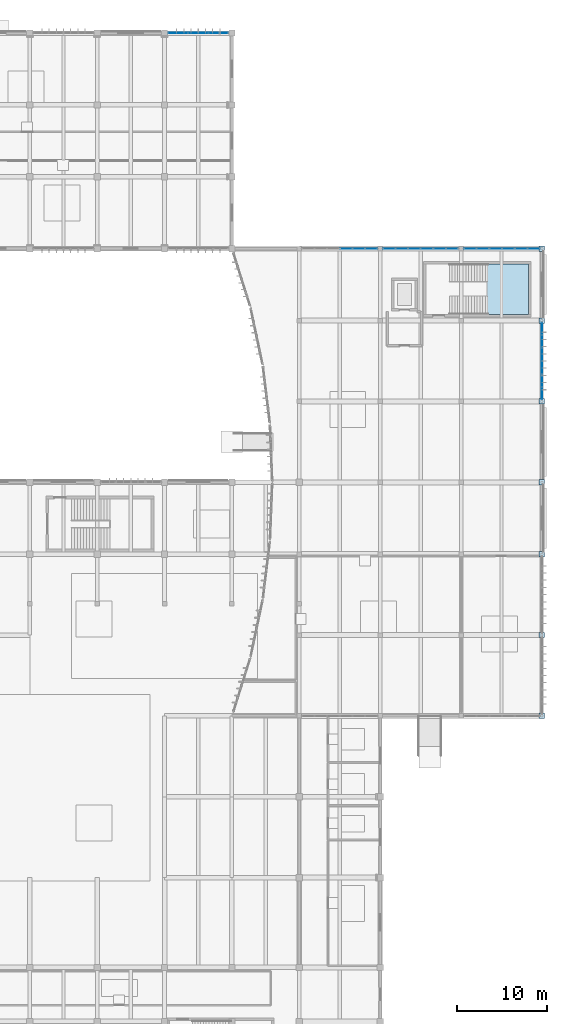
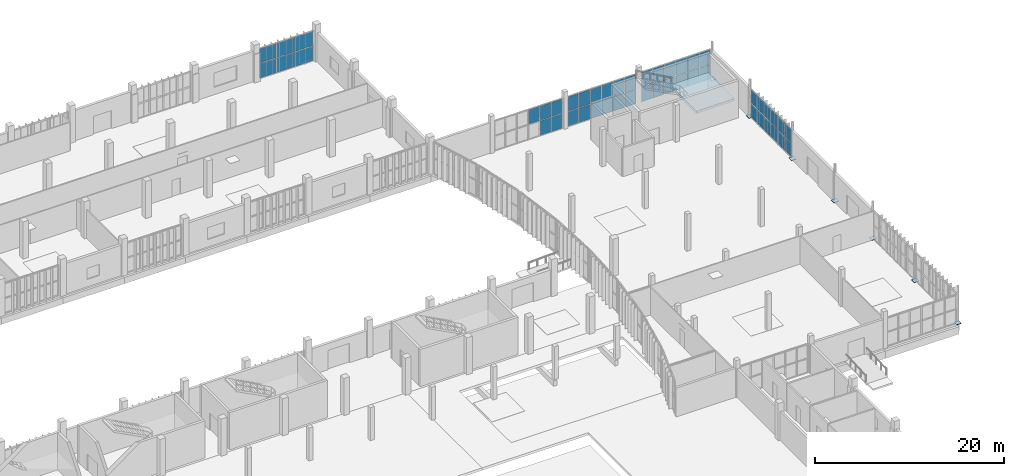
# One storey, part 41 of 72: 54 plates, 1 slab, 6 elements without a shape of their own.
"""IFC4 building model written with IfcOpenShell, lengths in metres."""

from ifc_helpers import new_model, si_unit, direction, frame, origin, origin_2d, place, context, subcontext, project, spatial, polyline, rectangle, outline, extrude, material, layer, layer_set, type_object, element, aggregate, save


model = new_model("IFC4")

# Units and contexts
model_context = context("Model", 3, precision=1e-05, world=origin(), true_north=direction((0.0, 1.0)))
body_context = subcontext(model_context, "Body", "Model", "MODEL_VIEW")
ifc_project = project(units=[si_unit("LENGTHUNIT", "METRE"), si_unit("AREAUNIT", "SQUARE_METRE"), si_unit("VOLUMEUNIT", "CUBIC_METRE"), si_unit("PLANEANGLEUNIT", "RADIAN"), si_unit("MASSUNIT", "GRAM", prefix="KILO")], contexts=[model_context])

# Site, building, storey
site_placement = place(None, origin())
site = spatial("IfcSite", under=ifc_project, at=site_placement, CompositionType="ELEMENT")
building_placement = place(site_placement, origin())
building = spatial("IfcBuilding", under=site, at=building_placement, Name="Vourika Railside Aquatics Centre", CompositionType="ELEMENT")
storey_placement = place(building_placement, origin())
storey = spatial("IfcBuildingStorey", under=building, at=storey_placement, Name="L00", CompositionType="ELEMENT", Elevation=0.0)

# Curtain wall, plates
ifc_material_1 = material(Name="Anodized thermally broken aluminium", Category="aluminium")
curtain_wall_type_1 = type_object("IfcCurtainWallType", Name="CW-FIT0", PredefinedType="NOTDEFINED", material=ifc_material_1)
curtain_wall_1_placement = place(storey_placement, origin())
curtain_wall_1 = element("IfcCurtainWall", 1, at=curtain_wall_1_placement, inside=storey, type_object=curtain_wall_type_1, Name="North Boulevard Curtain Wall L00-15", PredefinedType="NOTDEFINED")
ifc_material_2 = material(Name="Low-E solar-control laminated double glazing", Category="glass")
ifc_layer_1 = layer(ifc_material_2, 0.031982421875, Name="CWP-FIT0")
ifc_layer_set_1 = layer_set([ifc_layer_1], Name="Low-E solar-control laminated double glazing")
plate_type_1 = type_object("IfcPlateType", Name="CWP-FIT0", PredefinedType="CURTAIN_PANEL", material=ifc_layer_set_1)
plate_1_placement = place(storey_placement, frame((131.98046875, 116.0, 0.06494140625), z_axis=(0.0, 0.0, 1.0), x_axis=(-1.0, 0.0, 0.0)))
plate_1 = element("IfcPlate", 2, at=plate_1_placement, type_object=plate_type_1, Name="CW14 panel 1.1", PredefinedType="CURTAIN_PANEL", context=body_context, shape_type="SweptSolid", body=[
    extrude(rectangle(XDim=2.149169921875, YDim=0.031982421875, at=origin_2d()), origin(), (0.0, 0.0, 1.0), 1.867431640625),
])
plate_2_placement = place(storey_placement, frame((131.98046875, 116.0, 1.99755859375), z_axis=(0.0, 0.0, 1.0), x_axis=(-1.0, 0.0, 0.0)))
plate_2 = element("IfcPlate", 3, at=plate_2_placement, type_object=plate_type_1, Name="CW14 panel 1.2", PredefinedType="CURTAIN_PANEL", context=body_context, shape_type="SweptSolid", body=[
    extrude(rectangle(XDim=2.149169921875, YDim=0.031982421875, at=origin_2d()), origin(), (0.0, 0.0, 1.0), 1.867431640625),
])
plate_3_placement = place(storey_placement, frame((129.75, 116.0, 0.06494140625), z_axis=(0.0, 0.0, 1.0), x_axis=(-1.0, 0.0, 0.0)))
plate_3 = element("IfcPlate", 4, at=plate_3_placement, type_object=plate_type_1, Name="CW14 panel 2.1", PredefinedType="CURTAIN_PANEL", context=body_context, shape_type="SweptSolid", body=[
    extrude(rectangle(XDim=2.181640625, YDim=0.031982421875, at=origin_2d()), origin(), (0.0, 0.0, 1.0), 1.867431640625),
])
plate_4_placement = place(storey_placement, frame((129.75, 116.0, 1.99755859375), z_axis=(0.0, 0.0, 1.0), x_axis=(-1.0, 0.0, 0.0)))
plate_4 = element("IfcPlate", 5, at=plate_4_placement, type_object=plate_type_1, Name="CW14 panel 2.2", PredefinedType="CURTAIN_PANEL", context=body_context, shape_type="SweptSolid", body=[
    extrude(rectangle(XDim=2.181640625, YDim=0.031982421875, at=origin_2d()), origin(), (0.0, 0.0, 1.0), 1.867431640625),
])
plate_5_placement = place(storey_placement, frame((127.51953125, 116.0, 0.06494140625), z_axis=(0.0, 0.0, 1.0), x_axis=(-1.0, 0.0, 0.0)))
plate_5 = element("IfcPlate", 6, at=plate_5_placement, type_object=plate_type_1, Name="CW14 panel 3.1", PredefinedType="CURTAIN_PANEL", context=body_context, shape_type="SweptSolid", body=[
    extrude(rectangle(XDim=2.149169921875, YDim=0.031982421875, at=origin_2d()), origin(), (0.0, 0.0, 1.0), 1.867431640625),
])
plate_6_placement = place(storey_placement, frame((127.51953125, 116.0, 1.99755859375), z_axis=(0.0, 0.0, 1.0), x_axis=(-1.0, 0.0, 0.0)))
plate_6 = element("IfcPlate", 7, at=plate_6_placement, type_object=plate_type_1, Name="CW14 panel 3.2", PredefinedType="CURTAIN_PANEL", context=body_context, shape_type="SweptSolid", body=[
    extrude(rectangle(XDim=2.149169921875, YDim=0.031982421875, at=origin_2d()), origin(), (0.0, 0.0, 1.0), 1.867431640625),
])
aggregate(curtain_wall_1, [plate_1, plate_2, plate_3, plate_4, plate_5, plate_6])

curtain_wall_type_2 = type_object("IfcCurtainWallType", Name="CW-FOYE", PredefinedType="NOTDEFINED", material=ifc_material_1)
curtain_wall_2_placement = place(storey_placement, origin())
curtain_wall_2 = element("IfcCurtainWall", 8, at=curtain_wall_2_placement, inside=storey, type_object=curtain_wall_type_2, Name="East Arrival Facade Curtain Wall L00-5", PredefinedType="NOTDEFINED")
ifc_layer_2 = layer(ifc_material_2, 0.031982421875, Name="CWP-FOYE")
ifc_layer_set_2 = layer_set([ifc_layer_2], Name="Low-E solar-control laminated double glazing")
plate_type_2 = type_object("IfcPlateType", Name="CWP-FOYE", PredefinedType="CURTAIN_PANEL", material=ifc_layer_set_2)
plate_7_placement = place(storey_placement, frame((168.0, 75.907470703125, 0.074951171875), z_axis=(0.0, 0.0, 1.0), x_axis=(0.0, 1.0, 0.0)))
plate_7 = element("IfcPlate", 9, at=plate_7_placement, type_object=plate_type_2, Name="CW10 panel 1.1", PredefinedType="CURTAIN_PANEL", context=body_context, shape_type="SweptSolid", body=[
    extrude(rectangle(XDim=1.33203125, YDim=0.031982421875, at=origin_2d()), origin(), (0.0, 0.0, 1.0), 1.75244140625),
])
plate_8_placement = place(storey_placement, frame((168.0, 75.907470703125, 1.902587890625), z_axis=(0.0, 0.0, 1.0), x_axis=(0.0, 1.0, 0.0)))
plate_8 = element("IfcPlate", 10, at=plate_8_placement, type_object=plate_type_2, Name="CW10 panel 1.2", PredefinedType="CURTAIN_PANEL", context=body_context, shape_type="SweptSolid", body=[
    extrude(rectangle(XDim=1.33203125, YDim=0.031982421875, at=origin_2d()), origin(), (0.0, 0.0, 1.0), 1.75244140625),
])
plate_9_placement = place(storey_placement, frame((168.0, 77.333251953125, 0.074951171875), z_axis=(0.0, 0.0, 1.0), x_axis=(0.0, 1.0, 0.0)))
plate_9 = element("IfcPlate", 11, at=plate_9_placement, type_object=plate_type_2, Name="CW10 panel 2.1", PredefinedType="CURTAIN_PANEL", context=body_context, shape_type="SweptSolid", body=[
    extrude(rectangle(XDim=1.369384765625, YDim=0.031982421875, at=origin_2d()), origin(), (0.0, 0.0, 1.0), 1.75244140625),
])
plate_10_placement = place(storey_placement, frame((168.0, 77.333251953125, 1.902587890625), z_axis=(0.0, 0.0, 1.0), x_axis=(0.0, 1.0, 0.0)))
plate_10 = element("IfcPlate", 12, at=plate_10_placement, type_object=plate_type_2, Name="CW10 panel 2.2", PredefinedType="CURTAIN_PANEL", context=body_context, shape_type="SweptSolid", body=[
    extrude(rectangle(XDim=1.369384765625, YDim=0.031982421875, at=origin_2d()), origin(), (0.0, 0.0, 1.0), 1.75244140625),
])
plate_11_placement = place(storey_placement, frame((168.0, 78.77783203125, 0.074951171875), z_axis=(0.0, 0.0, 1.0), x_axis=(0.0, 1.0, 0.0)))
plate_11 = element("IfcPlate", 13, at=plate_11_placement, type_object=plate_type_2, Name="CW10 panel 3.1", PredefinedType="CURTAIN_PANEL", context=body_context, shape_type="SweptSolid", body=[
    extrude(rectangle(XDim=1.369384765625, YDim=0.031982421875, at=origin_2d()), origin(), (0.0, 0.0, 1.0), 1.75244140625),
])
plate_12_placement = place(storey_placement, frame((168.0, 78.77783203125, 1.902587890625), z_axis=(0.0, 0.0, 1.0), x_axis=(0.0, 1.0, 0.0)))
plate_12 = element("IfcPlate", 14, at=plate_12_placement, type_object=plate_type_2, Name="CW10 panel 3.2", PredefinedType="CURTAIN_PANEL", context=body_context, shape_type="SweptSolid", body=[
    extrude(rectangle(XDim=1.369384765625, YDim=0.031982421875, at=origin_2d()), origin(), (0.0, 0.0, 1.0), 1.75244140625),
])
plate_13_placement = place(storey_placement, frame((168.0, 80.22216796875, 0.074951171875), z_axis=(0.0, 0.0, 1.0), x_axis=(0.0, 1.0, 0.0)))
plate_13 = element("IfcPlate", 15, at=plate_13_placement, type_object=plate_type_2, Name="CW10 panel 4.1", PredefinedType="CURTAIN_PANEL", context=body_context, shape_type="SweptSolid", body=[
    extrude(rectangle(XDim=1.369384765625, YDim=0.031982421875, at=origin_2d()), origin(), (0.0, 0.0, 1.0), 1.75244140625),
])
plate_14_placement = place(storey_placement, frame((168.0, 80.22216796875, 1.902587890625), z_axis=(0.0, 0.0, 1.0), x_axis=(0.0, 1.0, 0.0)))
plate_14 = element("IfcPlate", 16, at=plate_14_placement, type_object=plate_type_2, Name="CW10 panel 4.2", PredefinedType="CURTAIN_PANEL", context=body_context, shape_type="SweptSolid", body=[
    extrude(rectangle(XDim=1.369384765625, YDim=0.031982421875, at=origin_2d()), origin(), (0.0, 0.0, 1.0), 1.75244140625),
])
plate_15_placement = place(storey_placement, frame((168.0, 81.666748046875, 0.074951171875), z_axis=(0.0, 0.0, 1.0), x_axis=(0.0, 1.0, 0.0)))
plate_15 = element("IfcPlate", 17, at=plate_15_placement, type_object=plate_type_2, Name="CW10 panel 5.1", PredefinedType="CURTAIN_PANEL", context=body_context, shape_type="SweptSolid", body=[
    extrude(rectangle(XDim=1.369384765625, YDim=0.031982421875, at=origin_2d()), origin(), (0.0, 0.0, 1.0), 1.75244140625),
])
plate_16_placement = place(storey_placement, frame((168.0, 81.666748046875, 1.902587890625), z_axis=(0.0, 0.0, 1.0), x_axis=(0.0, 1.0, 0.0)))
plate_16 = element("IfcPlate", 18, at=plate_16_placement, type_object=plate_type_2, Name="CW10 panel 5.2", PredefinedType="CURTAIN_PANEL", context=body_context, shape_type="SweptSolid", body=[
    extrude(rectangle(XDim=1.369384765625, YDim=0.031982421875, at=origin_2d()), origin(), (0.0, 0.0, 1.0), 1.75244140625),
])
plate_17_placement = place(storey_placement, frame((168.0, 83.092529296875, 0.074951171875), z_axis=(0.0, 0.0, 1.0), x_axis=(0.0, 1.0, 0.0)))
plate_17 = element("IfcPlate", 19, at=plate_17_placement, type_object=plate_type_2, Name="CW10 panel 6.1", PredefinedType="CURTAIN_PANEL", context=body_context, shape_type="SweptSolid", body=[
    extrude(rectangle(XDim=1.33203125, YDim=0.031982421875, at=origin_2d()), origin(), (0.0, 0.0, 1.0), 1.75244140625),
])
plate_18_placement = place(storey_placement, frame((168.0, 83.092529296875, 1.902587890625), z_axis=(0.0, 0.0, 1.0), x_axis=(0.0, 1.0, 0.0)))
plate_18 = element("IfcPlate", 20, at=plate_18_placement, type_object=plate_type_2, Name="CW10 panel 6.2", PredefinedType="CURTAIN_PANEL", context=body_context, shape_type="SweptSolid", body=[
    extrude(rectangle(XDim=1.33203125, YDim=0.031982421875, at=origin_2d()), origin(), (0.0, 0.0, 1.0), 1.75244140625),
])
aggregate(curtain_wall_2, [plate_7, plate_8, plate_9, plate_10, plate_11, plate_12, plate_13, plate_14, plate_15, plate_16, plate_17, plate_18])

curtain_wall_type_3 = type_object("IfcCurtainWallType", Name="CW-FOYS", PredefinedType="NOTDEFINED", material=ifc_material_1)
curtain_wall_3_placement = place(storey_placement, origin())
curtain_wall_3 = element("IfcCurtainWall", 21, at=curtain_wall_3_placement, inside=storey, type_object=curtain_wall_type_3, Name="Foyer North Glazed Facade L00-1", PredefinedType="NOTDEFINED")
ifc_layer_3 = layer(ifc_material_2, 0.031982421875, Name="CWP-FOYS")
ifc_layer_set_3 = layer_set([ifc_layer_3], Name="Low-E solar-control laminated double glazing")
plate_type_3 = type_object("IfcPlateType", Name="CWP-FOYS", PredefinedType="CURTAIN_PANEL", material=ifc_layer_set_3)
plate_19_placement = place(storey_placement, frame((148.998779296875, 92.0, 0.072021484375), z_axis=(0.0, 0.0, 1.0), x_axis=(-1.0, 0.0, 0.0)))
plate_19 = element("IfcPlate", 22, at=plate_19_placement, type_object=plate_type_3, Name="CW11 panel 1.1", PredefinedType="CURTAIN_PANEL", context=body_context, shape_type="SweptSolid", body=[
    extrude(rectangle(XDim=1.298583984375, YDim=0.031982421875, at=origin_2d()), origin(), (0.0, 0.0, 1.0), 1.85693359375),
])
plate_20_placement = place(storey_placement, frame((148.998779296875, 92.0, 2.0009765625), z_axis=(0.0, 0.0, 1.0), x_axis=(-1.0, 0.0, 0.0)))
plate_20 = element("IfcPlate", 23, at=plate_20_placement, type_object=plate_type_3, Name="CW11 panel 1.2", PredefinedType="CURTAIN_PANEL", context=body_context, shape_type="SweptSolid", body=[
    extrude(rectangle(XDim=1.298583984375, YDim=0.031982421875, at=origin_2d()), origin(), (0.0, 0.0, 1.0), 1.85693359375),
])
plate_21_placement = place(storey_placement, frame((147.610107421875, 92.0, 0.072021484375), z_axis=(0.0, 0.0, 1.0), x_axis=(-1.0, 0.0, 0.0)))
plate_21 = element("IfcPlate", 24, at=plate_21_placement, type_object=plate_type_3, Name="CW11 panel 2.1", PredefinedType="CURTAIN_PANEL", context=body_context, shape_type="SweptSolid", body=[
    extrude(rectangle(XDim=1.334716796875, YDim=0.031982421875, at=origin_2d()), origin(), (0.0, 0.0, 1.0), 1.85693359375),
])
plate_22_placement = place(storey_placement, frame((147.610107421875, 92.0, 2.0009765625), z_axis=(0.0, 0.0, 1.0), x_axis=(-1.0, 0.0, 0.0)))
plate_22 = element("IfcPlate", 25, at=plate_22_placement, type_object=plate_type_3, Name="CW11 panel 2.2", PredefinedType="CURTAIN_PANEL", context=body_context, shape_type="SweptSolid", body=[
    extrude(rectangle(XDim=1.334716796875, YDim=0.031982421875, at=origin_2d()), origin(), (0.0, 0.0, 1.0), 1.85693359375),
])
plate_23_placement = place(storey_placement, frame((146.203369140625, 92.0, 2.0009765625), z_axis=(0.0, 0.0, 1.0), x_axis=(-1.0, 0.0, 0.0)))
plate_23 = element("IfcPlate", 26, at=plate_23_placement, type_object=plate_type_3, Name="CW11 panel 3.2", PredefinedType="CURTAIN_PANEL", context=body_context, shape_type="SweptSolid", body=[
    extrude(rectangle(XDim=1.334716796875, YDim=0.031982421875, at=origin_2d()), origin(), (0.0, 0.0, 1.0), 1.85693359375),
])
aggregate(curtain_wall_3, [plate_19, plate_20, plate_21, plate_22, plate_23])

curtain_wall_4_placement = place(storey_placement, origin())
curtain_wall_4 = element("IfcCurtainWall", 27, at=curtain_wall_4_placement, inside=storey, type_object=curtain_wall_type_3, Name="Foyer North Glazed Facade L00-2", PredefinedType="NOTDEFINED")
plate_24_placement = place(storey_placement, frame((157.998779296875, 92.0, 0.072021484375), z_axis=(0.0, 0.0, 1.0), x_axis=(-1.0, 0.0, 0.0)))
plate_24 = element("IfcPlate", 28, at=plate_24_placement, type_object=plate_type_3, Name="CW11 panel 1.1", PredefinedType="CURTAIN_PANEL", context=body_context, shape_type="SweptSolid", body=[
    extrude(rectangle(XDim=1.298583984375, YDim=0.031982421875, at=origin_2d()), origin(), (0.0, 0.0, 1.0), 1.85693359375),
])
plate_25_placement = place(storey_placement, frame((157.998779296875, 92.0, 2.0009765625), z_axis=(0.0, 0.0, 1.0), x_axis=(-1.0, 0.0, 0.0)))
plate_25 = element("IfcPlate", 29, at=plate_25_placement, type_object=plate_type_3, Name="CW11 panel 1.2", PredefinedType="CURTAIN_PANEL", context=body_context, shape_type="SweptSolid", body=[
    extrude(rectangle(XDim=1.298583984375, YDim=0.031982421875, at=origin_2d()), origin(), (0.0, 0.0, 1.0), 1.85693359375),
])
plate_26_placement = place(storey_placement, frame((156.610107421875, 92.0, 0.072021484375), z_axis=(0.0, 0.0, 1.0), x_axis=(-1.0, 0.0, 0.0)))
plate_26 = element("IfcPlate", 30, at=plate_26_placement, type_object=plate_type_3, Name="CW11 panel 2.1", PredefinedType="CURTAIN_PANEL", context=body_context, shape_type="SweptSolid", body=[
    extrude(rectangle(XDim=1.334716796875, YDim=0.031982421875, at=origin_2d()), origin(), (0.0, 0.0, 1.0), 1.85693359375),
])
plate_27_placement = place(storey_placement, frame((156.610107421875, 92.0, 2.0009765625), z_axis=(0.0, 0.0, 1.0), x_axis=(-1.0, 0.0, 0.0)))
plate_27 = element("IfcPlate", 31, at=plate_27_placement, type_object=plate_type_3, Name="CW11 panel 2.2", PredefinedType="CURTAIN_PANEL", context=body_context, shape_type="SweptSolid", body=[
    extrude(rectangle(XDim=1.334716796875, YDim=0.031982421875, at=origin_2d()), origin(), (0.0, 0.0, 1.0), 1.85693359375),
])
plate_28_placement = place(storey_placement, frame((155.203369140625, 92.0, 0.072021484375), z_axis=(0.0, 0.0, 1.0), x_axis=(-1.0, 0.0, 0.0)))
plate_28 = element("IfcPlate", 32, at=plate_28_placement, type_object=plate_type_3, Name="CW11 panel 3.1", PredefinedType="CURTAIN_PANEL", context=body_context, shape_type="SweptSolid", body=[
    extrude(rectangle(XDim=1.334716796875, YDim=0.031982421875, at=origin_2d()), origin(), (0.0, 0.0, 1.0), 1.85693359375),
])
plate_29_placement = place(storey_placement, frame((155.203369140625, 92.0, 2.0009765625), z_axis=(0.0, 0.0, 1.0), x_axis=(-1.0, 0.0, 0.0)))
plate_29 = element("IfcPlate", 33, at=plate_29_placement, type_object=plate_type_3, Name="CW11 panel 3.2", PredefinedType="CURTAIN_PANEL", context=body_context, shape_type="SweptSolid", body=[
    extrude(rectangle(XDim=1.334716796875, YDim=0.031982421875, at=origin_2d()), origin(), (0.0, 0.0, 1.0), 1.85693359375),
])
plate_30_placement = place(storey_placement, frame((153.796630859375, 92.0, 0.072021484375), z_axis=(0.0, 0.0, 1.0), x_axis=(-1.0, 0.0, 0.0)))
plate_30 = element("IfcPlate", 34, at=plate_30_placement, type_object=plate_type_3, Name="CW11 panel 4.1", PredefinedType="CURTAIN_PANEL", context=body_context, shape_type="SweptSolid", body=[
    extrude(rectangle(XDim=1.334716796875, YDim=0.031982421875, at=origin_2d()), origin(), (0.0, 0.0, 1.0), 1.85693359375),
])
plate_31_placement = place(storey_placement, frame((153.796630859375, 92.0, 2.0009765625), z_axis=(0.0, 0.0, 1.0), x_axis=(-1.0, 0.0, 0.0)))
plate_31 = element("IfcPlate", 35, at=plate_31_placement, type_object=plate_type_3, Name="CW11 panel 4.2", PredefinedType="CURTAIN_PANEL", context=body_context, shape_type="SweptSolid", body=[
    extrude(rectangle(XDim=1.334716796875, YDim=0.031982421875, at=origin_2d()), origin(), (0.0, 0.0, 1.0), 1.85693359375),
])
plate_32_placement = place(storey_placement, frame((152.389892578125, 92.0, 0.072021484375), z_axis=(0.0, 0.0, 1.0), x_axis=(-1.0, 0.0, 0.0)))
plate_32 = element("IfcPlate", 36, at=plate_32_placement, type_object=plate_type_3, Name="CW11 panel 5.1", PredefinedType="CURTAIN_PANEL", context=body_context, shape_type="SweptSolid", body=[
    extrude(rectangle(XDim=1.334716796875, YDim=0.031982421875, at=origin_2d()), origin(), (0.0, 0.0, 1.0), 1.85693359375),
])
plate_33_placement = place(storey_placement, frame((152.389892578125, 92.0, 2.0009765625), z_axis=(0.0, 0.0, 1.0), x_axis=(-1.0, 0.0, 0.0)))
plate_33 = element("IfcPlate", 37, at=plate_33_placement, type_object=plate_type_3, Name="CW11 panel 5.2", PredefinedType="CURTAIN_PANEL", context=body_context, shape_type="SweptSolid", body=[
    extrude(rectangle(XDim=1.334716796875, YDim=0.031982421875, at=origin_2d()), origin(), (0.0, 0.0, 1.0), 1.85693359375),
])
plate_34_placement = place(storey_placement, frame((151.001220703125, 92.0, 0.072021484375), z_axis=(0.0, 0.0, 1.0), x_axis=(-1.0, 0.0, 0.0)))
plate_34 = element("IfcPlate", 38, at=plate_34_placement, type_object=plate_type_3, Name="CW11 panel 6.1", PredefinedType="CURTAIN_PANEL", context=body_context, shape_type="SweptSolid", body=[
    extrude(rectangle(XDim=1.298583984375, YDim=0.031982421875, at=origin_2d()), origin(), (0.0, 0.0, 1.0), 1.85693359375),
])
plate_35_placement = place(storey_placement, frame((151.001220703125, 92.0, 2.0009765625), z_axis=(0.0, 0.0, 1.0), x_axis=(-1.0, 0.0, 0.0)))
plate_35 = element("IfcPlate", 39, at=plate_35_placement, type_object=plate_type_3, Name="CW11 panel 6.2", PredefinedType="CURTAIN_PANEL", context=body_context, shape_type="SweptSolid", body=[
    extrude(rectangle(XDim=1.298583984375, YDim=0.031982421875, at=origin_2d()), origin(), (0.0, 0.0, 1.0), 1.85693359375),
])
aggregate(curtain_wall_4, [plate_24, plate_25, plate_26, plate_27, plate_28, plate_29, plate_30, plate_31, plate_32, plate_33, plate_34, plate_35])

curtain_wall_5_placement = place(storey_placement, origin())
curtain_wall_5 = element("IfcCurtainWall", 40, at=curtain_wall_5_placement, inside=storey, type_object=curtain_wall_type_3, Name="Foyer North Glazed Facade L00-3", PredefinedType="NOTDEFINED")
plate_36_placement = place(storey_placement, frame((167.102783203125, 92.0, 0.072021484375), z_axis=(0.0, 0.0, 1.0), x_axis=(-1.0, 0.0, 0.0)))
plate_36 = element("IfcPlate", 41, at=plate_36_placement, type_object=plate_type_3, Name="CW11 panel 1.1", PredefinedType="CURTAIN_PANEL", context=body_context, shape_type="SweptSolid", body=[
    extrude(rectangle(XDim=1.317626953125, YDim=0.031982421875, at=origin_2d()), origin(), (0.0, 0.0, 1.0), 1.85693359375),
])
plate_37_placement = place(storey_placement, frame((167.102783203125, 92.0, 2.0009765625), z_axis=(0.0, 0.0, 1.0), x_axis=(-1.0, 0.0, 0.0)))
plate_37 = element("IfcPlate", 42, at=plate_37_placement, type_object=plate_type_3, Name="CW11 panel 1.2", PredefinedType="CURTAIN_PANEL", context=body_context, shape_type="SweptSolid", body=[
    extrude(rectangle(XDim=1.317626953125, YDim=0.031982421875, at=origin_2d()), origin(), (0.0, 0.0, 1.0), 1.85693359375),
])
plate_38_placement = place(storey_placement, frame((165.695068359375, 92.0, 0.072021484375), z_axis=(0.0, 0.0, 1.0), x_axis=(-1.0, 0.0, 0.0)))
plate_38 = element("IfcPlate", 43, at=plate_38_placement, type_object=plate_type_3, Name="CW11 panel 2.1", PredefinedType="CURTAIN_PANEL", context=body_context, shape_type="SweptSolid", body=[
    extrude(rectangle(XDim=1.353515625, YDim=0.031982421875, at=origin_2d()), origin(), (0.0, 0.0, 1.0), 1.85693359375),
])
plate_39_placement = place(storey_placement, frame((165.695068359375, 92.0, 2.0009765625), z_axis=(0.0, 0.0, 1.0), x_axis=(-1.0, 0.0, 0.0)))
plate_39 = element("IfcPlate", 44, at=plate_39_placement, type_object=plate_type_3, Name="CW11 panel 2.2", PredefinedType="CURTAIN_PANEL", context=body_context, shape_type="SweptSolid", body=[
    extrude(rectangle(XDim=1.353515625, YDim=0.031982421875, at=origin_2d()), origin(), (0.0, 0.0, 1.0), 1.85693359375),
])
plate_40_placement = place(storey_placement, frame((164.26953125, 92.0, 0.072021484375), z_axis=(0.0, 0.0, 1.0), x_axis=(-1.0, 0.0, 0.0)))
plate_40 = element("IfcPlate", 45, at=plate_40_placement, type_object=plate_type_3, Name="CW11 panel 3.1", PredefinedType="CURTAIN_PANEL", context=body_context, shape_type="SweptSolid", body=[
    extrude(rectangle(XDim=1.353515625, YDim=0.031982421875, at=origin_2d()), origin(), (0.0, 0.0, 1.0), 1.85693359375),
])
plate_41_placement = place(storey_placement, frame((164.26953125, 92.0, 2.0009765625), z_axis=(0.0, 0.0, 1.0), x_axis=(-1.0, 0.0, 0.0)))
plate_41 = element("IfcPlate", 46, at=plate_41_placement, type_object=plate_type_3, Name="CW11 panel 3.2", PredefinedType="CURTAIN_PANEL", context=body_context, shape_type="SweptSolid", body=[
    extrude(rectangle(XDim=1.353515625, YDim=0.031982421875, at=origin_2d()), origin(), (0.0, 0.0, 1.0), 1.85693359375),
])
plate_42_placement = place(storey_placement, frame((162.843994140625, 92.0, 0.072021484375), z_axis=(0.0, 0.0, 1.0), x_axis=(-1.0, 0.0, 0.0)))
plate_42 = element("IfcPlate", 47, at=plate_42_placement, type_object=plate_type_3, Name="CW11 panel 4.1", PredefinedType="CURTAIN_PANEL", context=body_context, shape_type="SweptSolid", body=[
    extrude(rectangle(XDim=1.353515625, YDim=0.031982421875, at=origin_2d()), origin(), (0.0, 0.0, 1.0), 1.85693359375),
])
plate_43_placement = place(storey_placement, frame((162.843994140625, 92.0, 2.0009765625), z_axis=(0.0, 0.0, 1.0), x_axis=(-1.0, 0.0, 0.0)))
plate_43 = element("IfcPlate", 48, at=plate_43_placement, type_object=plate_type_3, Name="CW11 panel 4.2", PredefinedType="CURTAIN_PANEL", context=body_context, shape_type="SweptSolid", body=[
    extrude(rectangle(XDim=1.353515625, YDim=0.031982421875, at=origin_2d()), origin(), (0.0, 0.0, 1.0), 1.85693359375),
])
plate_44_placement = place(storey_placement, frame((161.41845703125, 92.0, 0.072021484375), z_axis=(0.0, 0.0, 1.0), x_axis=(-1.0, 0.0, 0.0)))
plate_44 = element("IfcPlate", 49, at=plate_44_placement, type_object=plate_type_3, Name="CW11 panel 5.1", PredefinedType="CURTAIN_PANEL", context=body_context, shape_type="SweptSolid", body=[
    extrude(rectangle(XDim=1.353515625, YDim=0.031982421875, at=origin_2d()), origin(), (0.0, 0.0, 1.0), 1.85693359375),
])
plate_45_placement = place(storey_placement, frame((161.41845703125, 92.0, 2.0009765625), z_axis=(0.0, 0.0, 1.0), x_axis=(-1.0, 0.0, 0.0)))
plate_45 = element("IfcPlate", 50, at=plate_45_placement, type_object=plate_type_3, Name="CW11 panel 5.2", PredefinedType="CURTAIN_PANEL", context=body_context, shape_type="SweptSolid", body=[
    extrude(rectangle(XDim=1.353515625, YDim=0.031982421875, at=origin_2d()), origin(), (0.0, 0.0, 1.0), 1.85693359375),
])
plate_46_placement = place(storey_placement, frame((160.0107421875, 92.0, 0.072021484375), z_axis=(0.0, 0.0, 1.0), x_axis=(-1.0, 0.0, 0.0)))
plate_46 = element("IfcPlate", 51, at=plate_46_placement, type_object=plate_type_3, Name="CW11 panel 6.1", PredefinedType="CURTAIN_PANEL", context=body_context, shape_type="SweptSolid", body=[
    extrude(rectangle(XDim=1.317626953125, YDim=0.031982421875, at=origin_2d()), origin(), (0.0, 0.0, 1.0), 1.85693359375),
])
plate_47_placement = place(storey_placement, frame((160.0107421875, 92.0, 2.0009765625), z_axis=(0.0, 0.0, 1.0), x_axis=(-1.0, 0.0, 0.0)))
plate_47 = element("IfcPlate", 52, at=plate_47_placement, type_object=plate_type_3, Name="CW11 panel 6.2", PredefinedType="CURTAIN_PANEL", context=body_context, shape_type="SweptSolid", body=[
    extrude(rectangle(XDim=1.317626953125, YDim=0.031982421875, at=origin_2d()), origin(), (0.0, 0.0, 1.0), 1.85693359375),
])
aggregate(curtain_wall_5, [plate_36, plate_37, plate_38, plate_39, plate_40, plate_41, plate_42, plate_43, plate_44, plate_45, plate_46, plate_47])

# Plates
ifc_material_3 = material(Name="Steel S355J2", Category="steel")
ifc_layer_4 = layer(ifc_material_3, 0.030029296875, Name="PLT-BASE-600x600x30")
ifc_layer_set_4 = layer_set([ifc_layer_4], Name="Steel S355J2")
plate_type_4 = type_object("IfcPlateType", Name="PLT-BASE-600x600x30", PredefinedType="USERDEFINED", material=ifc_layer_set_4)
for number, where, z_axis, x_axis, name in (
    (53, (168.0, 40.0, 0.0), (0.0, 0.0, 1.0), (1.0, 0.0, 0.0), "Steel Column Base Plate BP-001"),
    (54, (168.0, 49.0, 0.0), (0.0, 0.0, 1.0), (1.0, 0.0, 0.0), "Steel Column Base Plate BP-002"),
    (55, (168.0, 58.0, 0.0), (0.0, 0.0, 1.0), (1.0, 0.0, 0.0), "Steel Column Base Plate BP-003"),
    (56, (168.0, 66.0, 0.0), (0.0, 0.0, 1.0), (1.0, 0.0, 0.0), "Steel Column Base Plate BP-004"),
    (57, (168.0, 75.0, 0.0), (0.0, 0.0, 1.0), (1.0, 0.0, 0.0), "Steel Column Base Plate BP-005"),
    (58, (168.0, 84.0, 0.0), (0.0, 0.0, 1.0), (1.0, 0.0, 0.0), "Steel Column Base Plate BP-006"),
    (59, (168.0, 92.0, 0.0), (0.0, 0.0, 1.0), (1.0, 0.0, 0.0), "Steel Column Base Plate BP-007"),
):
    element("IfcPlate", number, at=place(storey_placement, frame(where, z_axis=z_axis, x_axis=x_axis)), inside=storey, type_object=plate_type_4, Name=name, ObjectType="BASE PLATE", PredefinedType="USERDEFINED", context=body_context, shape_type="SweptSolid", body=[
        extrude(rectangle(XDim=0.60009765625, YDim=0.60009765625, at=origin_2d()), origin(), (0.0, 0.0, 1.0), 0.030029296875),
    ])

# Stair, slab
ifc_material_4 = material(Name="Concrete C35/45", Category="concrete")
stair_type = type_object("IfcStairType", Name="STR-CORE-L00", PredefinedType="TWO_STRAIGHT_RUN_STAIR", material=ifc_material_4)
stair_placement = place(storey_placement, origin())
stair = element("IfcStair", 60, at=stair_placement, inside=storey, type_object=stair_type, Name="Protected Exit Stair Core ST05 (L00)", PredefinedType="TWO_STRAIGHT_RUN_STAIR")
ifc_layer_5 = layer(ifc_material_4, 0.31005859375, Name="SLB-LND-310")
ifc_layer_set_5 = layer_set([ifc_layer_5], Name="Concrete C35/45")
slab_type = type_object("IfcSlabType", Name="SLB-LND-310", PredefinedType="LANDING", material=ifc_layer_set_5)
slab_placement = place(storey_placement, frame((0.0, 0.0, 2.090087890625)))
slab = element("IfcSlab", 61, at=slab_placement, type_object=slab_type, Name="STC-L00 landing 1", PredefinedType="LANDING", context=body_context, shape_type="SweptSolid", body=[
    extrude(outline(polyline([(161.8720703125, 84.699951171875), (166.5, 84.699951171875), (166.5, 90.300048828125), (161.8720703125, 90.300048828125), (161.8720703125, 84.699951171875)])), origin(), (0.0, 0.0, 1.0), 0.309814453125),
])
aggregate(stair, [slab])

save(model, "model.ifc")
